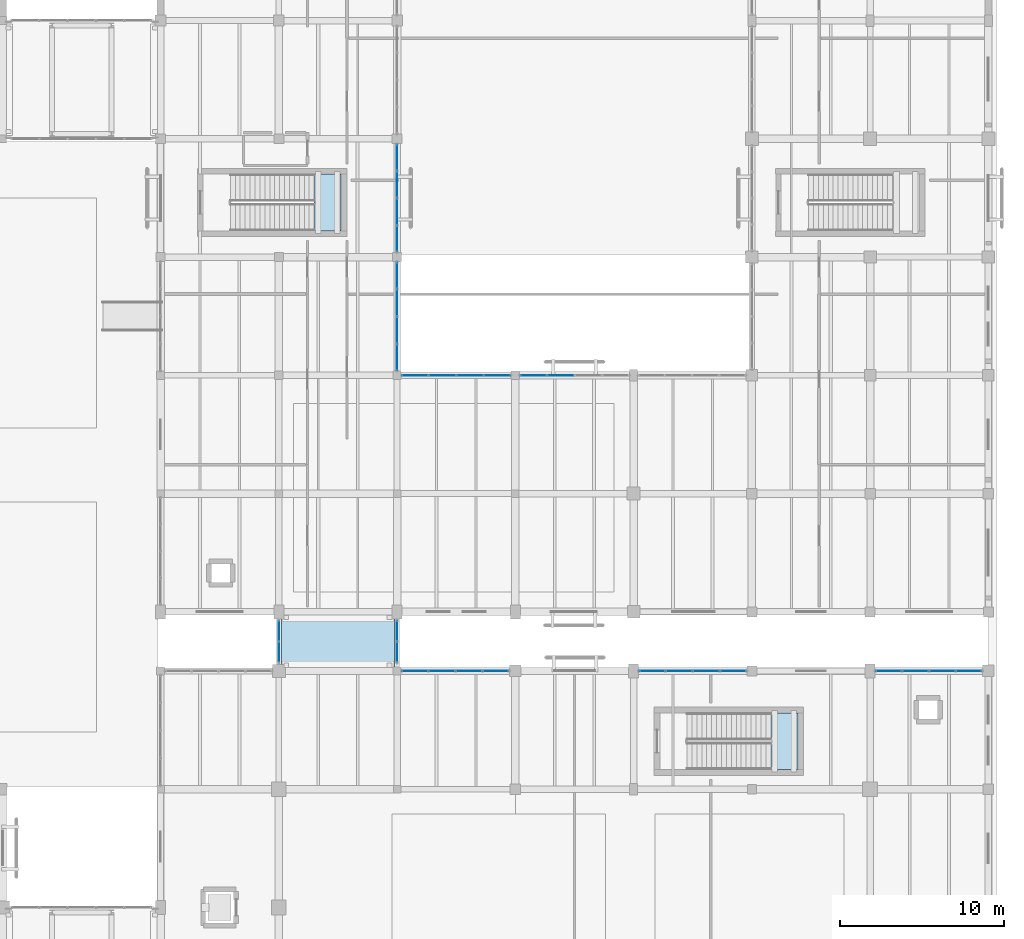
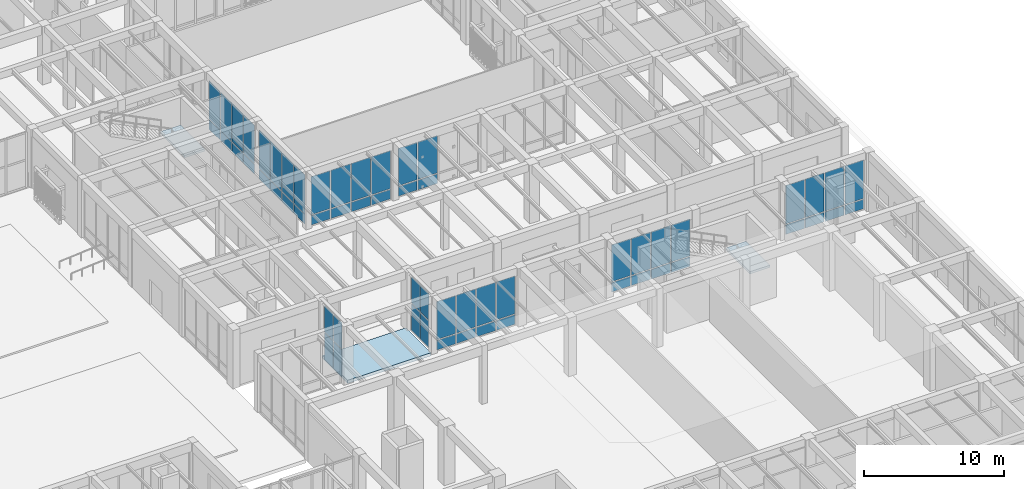
# One storey, part 117 of 169: 60 plates, 3 slabs, 11 elements without a shape of their own.
"""IFC4 building model written with IfcOpenShell, lengths in metres."""

from ifc_helpers import new_model, si_unit, direction, frame, origin, origin_2d, place, context, subcontext, project, spatial, polyline, rectangle, outline, extrude, material, layer, layer_set, type_object, element, aggregate, save


model = new_model("IFC4")

# Units and contexts
model_context = context("Model", 3, precision=1e-05, world=origin(), true_north=direction((0.0, 1.0)))
body_context = subcontext(model_context, "Body", "Model", "MODEL_VIEW")
ifc_project = project(units=[si_unit("LENGTHUNIT", "METRE"), si_unit("AREAUNIT", "SQUARE_METRE"), si_unit("VOLUMEUNIT", "CUBIC_METRE"), si_unit("PLANEANGLEUNIT", "RADIAN"), si_unit("MASSUNIT", "GRAM", prefix="KILO")], contexts=[model_context])

# Site, building, storey
site_placement = place(None, origin())
site = spatial("IfcSite", under=ifc_project, at=site_placement, CompositionType="ELEMENT")
building_placement = place(site_placement, origin())
building = spatial("IfcBuilding", under=site, at=building_placement, Name="Mazaris Harbour Polytechnic", CompositionType="ELEMENT")
storey_placement = place(building_placement, origin())
storey = spatial("IfcBuildingStorey", under=building, at=storey_placement, Name="L00", CompositionType="ELEMENT", Elevation=0.0)

# Slab
ifc_material_1 = material(Name="Glulam GL28h and Concrete C30/37", Category="concrete")
ifc_layer_1 = layer(ifc_material_1, 0.264892578125, Name="Glulam GL28h and Concrete C30/37")
ifc_layer_set_1 = layer_set([ifc_layer_1], Name="Glulam GL28h and Concrete C30/37")
slab_type_1 = type_object("IfcSlabType", Name="CLT Composite Floor 265", PredefinedType="FLOOR", material=ifc_layer_set_1)
slab_1_placement = place(storey_placement, frame((0.0, 0.0, -0.264892578125)))
element("IfcSlab", 1, at=slab_1_placement, inside=storey, type_object=slab_type_1, Name="PB-NE L00 Bridge Deck", PredefinedType="FLOOR", context=body_context, shape_type="SweptSolid", body=[
    extrude(outline(polyline([(136.64990234375, 43.199951171875), (136.64990234375, 46.800048828125), (129.75, 46.800048828125), (129.75, 43.199951171875), (136.64990234375, 43.199951171875)])), origin(), (0.0, 0.0, 1.0), 0.264892578125),
])

# Curtain wall, plates
ifc_material_2 = material(Name="Anodised Bronze Aluminium and Low-E Glass", Category="aluminium")
ifc_layer_2 = layer(ifc_material_2, 0.159912109375, Name="Anodised Bronze Aluminium and Low-E Glass")
ifc_layer_set_2 = layer_set([ifc_layer_2], Name="Anodised Bronze Aluminium and Low-E Glass")
curtain_wall_type_1 = type_object("IfcCurtainWallType", Name="Cloister Court Curtain Wall", PredefinedType="NOTDEFINED", material=ifc_layer_set_2)
curtain_wall_1_placement = place(storey_placement, origin())
curtain_wall_1 = element("IfcCurtainWall", 2, at=curtain_wall_1_placement, inside=storey, type_object=curtain_wall_type_1, Name="V2 L00 Curtain Wall 38", PredefinedType="NOTDEFINED")
ifc_material_3 = material(Name="Low-E Double Glazing", Category="glass")
ifc_layer_3 = layer(ifc_material_3, 0.028076171875, Name="Low-E Double Glazing")
ifc_layer_set_3 = layer_set([ifc_layer_3], Name="Low-E Double Glazing")
plate_type_1 = type_object("IfcPlateType", Name="Low-E Vision Glass Panel 28", PredefinedType="CURTAIN_PANEL", material=ifc_layer_set_3)
plate_1_placement = place(storey_placement, frame((137.888916015625, 43.199951171875, 0.080078125), z_axis=(0.0, 0.0, 1.0), x_axis=(1.0, 0.0, 0.0)))
plate_1 = element("IfcPlate", 3, at=plate_1_placement, type_object=plate_type_1, Name="CW-02 panel 1.1", PredefinedType="CURTAIN_PANEL", context=body_context, shape_type="SweptSolid", body=[
    extrude(rectangle(XDim=1.533935546875, YDim=0.028076171875, at=origin_2d()), origin(), (0.0, 0.0, 1.0), 0.830078125),
])
plate_2_placement = place(storey_placement, frame((137.888916015625, 43.199951171875, 0.98974609375), z_axis=(0.0, 0.0, 1.0), x_axis=(1.0, 0.0, 0.0)))
plate_2 = element("IfcPlate", 4, at=plate_2_placement, type_object=plate_type_1, Name="CW-02 panel 1.2", PredefinedType="CURTAIN_PANEL", context=body_context, shape_type="SweptSolid", body=[
    extrude(rectangle(XDim=1.533935546875, YDim=0.028076171875, at=origin_2d()), origin(), (0.0, 0.0, 1.0), 3.320068359375),
])
plate_3_placement = place(storey_placement, frame((139.52294921875, 43.199951171875, 0.080078125), z_axis=(0.0, 0.0, 1.0), x_axis=(1.0, 0.0, 0.0)))
plate_3 = element("IfcPlate", 5, at=plate_3_placement, type_object=plate_type_1, Name="CW-02 panel 2.1", PredefinedType="CURTAIN_PANEL", context=body_context, shape_type="SweptSolid", body=[
    extrude(rectangle(XDim=1.573974609375, YDim=0.028076171875, at=origin_2d()), origin(), (0.0, 0.0, 1.0), 0.830078125),
])
plate_4_placement = place(storey_placement, frame((139.52294921875, 43.199951171875, 0.98974609375), z_axis=(0.0, 0.0, 1.0), x_axis=(1.0, 0.0, 0.0)))
plate_4 = element("IfcPlate", 6, at=plate_4_placement, type_object=plate_type_1, Name="CW-02 panel 2.2", PredefinedType="CURTAIN_PANEL", context=body_context, shape_type="SweptSolid", body=[
    extrude(rectangle(XDim=1.573974609375, YDim=0.028076171875, at=origin_2d()), origin(), (0.0, 0.0, 1.0), 3.320068359375),
])
plate_5_placement = place(storey_placement, frame((141.177001953125, 43.199951171875, 0.080078125), z_axis=(0.0, 0.0, 1.0), x_axis=(1.0, 0.0, 0.0)))
plate_5 = element("IfcPlate", 7, at=plate_5_placement, type_object=plate_type_1, Name="CW-02 panel 3.1", PredefinedType="CURTAIN_PANEL", context=body_context, shape_type="SweptSolid", body=[
    extrude(rectangle(XDim=1.573974609375, YDim=0.028076171875, at=origin_2d()), origin(), (0.0, 0.0, 1.0), 0.830078125),
])
plate_6_placement = place(storey_placement, frame((141.177001953125, 43.199951171875, 0.98974609375), z_axis=(0.0, 0.0, 1.0), x_axis=(1.0, 0.0, 0.0)))
plate_6 = element("IfcPlate", 8, at=plate_6_placement, type_object=plate_type_1, Name="CW-02 panel 3.2", PredefinedType="CURTAIN_PANEL", context=body_context, shape_type="SweptSolid", body=[
    extrude(rectangle(XDim=1.573974609375, YDim=0.028076171875, at=origin_2d()), origin(), (0.0, 0.0, 1.0), 3.320068359375),
])
plate_7_placement = place(storey_placement, frame((142.81103515625, 43.199951171875, 0.080078125), z_axis=(0.0, 0.0, 1.0), x_axis=(1.0, 0.0, 0.0)))
plate_7 = element("IfcPlate", 9, at=plate_7_placement, type_object=plate_type_1, Name="CW-02 panel 4.1", PredefinedType="CURTAIN_PANEL", context=body_context, shape_type="SweptSolid", body=[
    extrude(rectangle(XDim=1.533935546875, YDim=0.028076171875, at=origin_2d()), origin(), (0.0, 0.0, 1.0), 0.830078125),
])
plate_8_placement = place(storey_placement, frame((142.81103515625, 43.199951171875, 0.98974609375), z_axis=(0.0, 0.0, 1.0), x_axis=(1.0, 0.0, 0.0)))
plate_8 = element("IfcPlate", 10, at=plate_8_placement, type_object=plate_type_1, Name="CW-02 panel 4.2", PredefinedType="CURTAIN_PANEL", context=body_context, shape_type="SweptSolid", body=[
    extrude(rectangle(XDim=1.533935546875, YDim=0.028076171875, at=origin_2d()), origin(), (0.0, 0.0, 1.0), 3.320068359375),
])
aggregate(curtain_wall_1, [plate_1, plate_2, plate_3, plate_4, plate_5, plate_6, plate_7, plate_8])

curtain_wall_2_placement = place(storey_placement, origin())
curtain_wall_2 = element("IfcCurtainWall", 11, at=curtain_wall_2_placement, inside=storey, type_object=curtain_wall_type_1, Name="V2 L00 Curtain Wall 39", PredefinedType="NOTDEFINED")
plate_9_placement = place(storey_placement, frame((152.339111328125, 43.199951171875, 0.080078125), z_axis=(0.0, 0.0, 1.0), x_axis=(1.0, 0.0, 0.0)))
plate_9 = element("IfcPlate", 12, at=plate_9_placement, type_object=plate_type_1, Name="CW-02 panel 1.1", PredefinedType="CURTAIN_PANEL", context=body_context, shape_type="SweptSolid", body=[
    extrude(rectangle(XDim=1.533935546875, YDim=0.028076171875, at=origin_2d()), origin(), (0.0, 0.0, 1.0), 0.830078125),
])
plate_10_placement = place(storey_placement, frame((152.339111328125, 43.199951171875, 0.990234375), z_axis=(0.0, 0.0, 1.0), x_axis=(1.0, 0.0, 0.0)))
plate_10 = element("IfcPlate", 13, at=plate_10_placement, type_object=plate_type_1, Name="CW-02 panel 1.2", PredefinedType="CURTAIN_PANEL", context=body_context, shape_type="SweptSolid", body=[
    extrude(rectangle(XDim=1.533935546875, YDim=0.028076171875, at=origin_2d()), origin(), (0.0, 0.0, 1.0), 3.219970703125),
])
plate_11_placement = place(storey_placement, frame((153.972900390625, 43.199951171875, 0.080078125), z_axis=(0.0, 0.0, 1.0), x_axis=(1.0, 0.0, 0.0)))
plate_11 = element("IfcPlate", 14, at=plate_11_placement, type_object=plate_type_1, Name="CW-02 panel 2.1", PredefinedType="CURTAIN_PANEL", context=body_context, shape_type="SweptSolid", body=[
    extrude(rectangle(XDim=1.573974609375, YDim=0.028076171875, at=origin_2d()), origin(), (0.0, 0.0, 1.0), 0.830078125),
])
plate_12_placement = place(storey_placement, frame((153.972900390625, 43.199951171875, 0.990234375), z_axis=(0.0, 0.0, 1.0), x_axis=(1.0, 0.0, 0.0)))
plate_12 = element("IfcPlate", 15, at=plate_12_placement, type_object=plate_type_1, Name="CW-02 panel 2.2", PredefinedType="CURTAIN_PANEL", context=body_context, shape_type="SweptSolid", body=[
    extrude(rectangle(XDim=1.573974609375, YDim=0.028076171875, at=origin_2d()), origin(), (0.0, 0.0, 1.0), 3.219970703125),
])
plate_13_placement = place(storey_placement, frame((155.626953125, 43.199951171875, 0.080078125), z_axis=(0.0, 0.0, 1.0), x_axis=(1.0, 0.0, 0.0)))
plate_13 = element("IfcPlate", 16, at=plate_13_placement, type_object=plate_type_1, Name="CW-02 panel 3.1", PredefinedType="CURTAIN_PANEL", context=body_context, shape_type="SweptSolid", body=[
    extrude(rectangle(XDim=1.573974609375, YDim=0.028076171875, at=origin_2d()), origin(), (0.0, 0.0, 1.0), 0.830078125),
])
plate_14_placement = place(storey_placement, frame((155.626953125, 43.199951171875, 0.990234375), z_axis=(0.0, 0.0, 1.0), x_axis=(1.0, 0.0, 0.0)))
plate_14 = element("IfcPlate", 17, at=plate_14_placement, type_object=plate_type_1, Name="CW-02 panel 3.2", PredefinedType="CURTAIN_PANEL", context=body_context, shape_type="SweptSolid", body=[
    extrude(rectangle(XDim=1.573974609375, YDim=0.028076171875, at=origin_2d()), origin(), (0.0, 0.0, 1.0), 3.219970703125),
])
plate_15_placement = place(storey_placement, frame((157.260986328125, 43.199951171875, 0.080078125), z_axis=(0.0, 0.0, 1.0), x_axis=(1.0, 0.0, 0.0)))
plate_15 = element("IfcPlate", 18, at=plate_15_placement, type_object=plate_type_1, Name="CW-02 panel 4.1", PredefinedType="CURTAIN_PANEL", context=body_context, shape_type="SweptSolid", body=[
    extrude(rectangle(XDim=1.533935546875, YDim=0.028076171875, at=origin_2d()), origin(), (0.0, 0.0, 1.0), 0.830078125),
])
plate_16_placement = place(storey_placement, frame((157.260986328125, 43.199951171875, 0.990234375), z_axis=(0.0, 0.0, 1.0), x_axis=(1.0, 0.0, 0.0)))
plate_16 = element("IfcPlate", 19, at=plate_16_placement, type_object=plate_type_1, Name="CW-02 panel 4.2", PredefinedType="CURTAIN_PANEL", context=body_context, shape_type="SweptSolid", body=[
    extrude(rectangle(XDim=1.533935546875, YDim=0.028076171875, at=origin_2d()), origin(), (0.0, 0.0, 1.0), 3.219970703125),
])
aggregate(curtain_wall_2, [plate_9, plate_10, plate_11, plate_12, plate_13, plate_14, plate_15, plate_16])

curtain_wall_3_placement = place(storey_placement, origin())
curtain_wall_3 = element("IfcCurtainWall", 20, at=curtain_wall_3_placement, inside=storey, type_object=curtain_wall_type_1, Name="V2 L00 Curtain Wall 40", PredefinedType="NOTDEFINED")
plate_17_placement = place(storey_placement, frame((166.732666015625, 43.199951171875, 0.080078125), z_axis=(0.0, 0.0, 1.0), x_axis=(1.0, 0.0, 0.0)))
plate_17 = element("IfcPlate", 21, at=plate_17_placement, type_object=plate_type_1, Name="CW-02 panel 1.1", PredefinedType="CURTAIN_PANEL", context=body_context, shape_type="SweptSolid", body=[
    extrude(rectangle(XDim=1.521484375, YDim=0.028076171875, at=origin_2d()), origin(), (0.0, 0.0, 1.0), 0.830078125),
])
plate_18_placement = place(storey_placement, frame((166.732666015625, 43.199951171875, 0.989990234375), z_axis=(0.0, 0.0, 1.0), x_axis=(1.0, 0.0, 0.0)))
plate_18 = element("IfcPlate", 22, at=plate_18_placement, type_object=plate_type_1, Name="CW-02 panel 1.2", PredefinedType="CURTAIN_PANEL", context=body_context, shape_type="SweptSolid", body=[
    extrude(rectangle(XDim=1.521484375, YDim=0.028076171875, at=origin_2d()), origin(), (0.0, 0.0, 1.0), 3.3701171875),
])
plate_19_placement = place(storey_placement, frame((168.354248046875, 43.199951171875, 0.080078125), z_axis=(0.0, 0.0, 1.0), x_axis=(1.0, 0.0, 0.0)))
plate_19 = element("IfcPlate", 23, at=plate_19_placement, type_object=plate_type_1, Name="CW-02 panel 2.1", PredefinedType="CURTAIN_PANEL", context=body_context, shape_type="SweptSolid", body=[
    extrude(rectangle(XDim=1.5615234375, YDim=0.028076171875, at=origin_2d()), origin(), (0.0, 0.0, 1.0), 0.830078125),
])
plate_20_placement = place(storey_placement, frame((168.354248046875, 43.199951171875, 0.989990234375), z_axis=(0.0, 0.0, 1.0), x_axis=(1.0, 0.0, 0.0)))
plate_20 = element("IfcPlate", 24, at=plate_20_placement, type_object=plate_type_1, Name="CW-02 panel 2.2", PredefinedType="CURTAIN_PANEL", context=body_context, shape_type="SweptSolid", body=[
    extrude(rectangle(XDim=1.5615234375, YDim=0.028076171875, at=origin_2d()), origin(), (0.0, 0.0, 1.0), 3.3701171875),
])
plate_21_placement = place(storey_placement, frame((169.995849609375, 43.199951171875, 0.080078125), z_axis=(0.0, 0.0, 1.0), x_axis=(1.0, 0.0, 0.0)))
plate_21 = element("IfcPlate", 25, at=plate_21_placement, type_object=plate_type_1, Name="CW-02 panel 3.1", PredefinedType="CURTAIN_PANEL", context=body_context, shape_type="SweptSolid", body=[
    extrude(rectangle(XDim=1.5615234375, YDim=0.028076171875, at=origin_2d()), origin(), (0.0, 0.0, 1.0), 0.830078125),
])
plate_22_placement = place(storey_placement, frame((169.995849609375, 43.199951171875, 0.989990234375), z_axis=(0.0, 0.0, 1.0), x_axis=(1.0, 0.0, 0.0)))
plate_22 = element("IfcPlate", 26, at=plate_22_placement, type_object=plate_type_1, Name="CW-02 panel 3.2", PredefinedType="CURTAIN_PANEL", context=body_context, shape_type="SweptSolid", body=[
    extrude(rectangle(XDim=1.5615234375, YDim=0.028076171875, at=origin_2d()), origin(), (0.0, 0.0, 1.0), 3.3701171875),
])
plate_23_placement = place(storey_placement, frame((171.6171875, 43.199951171875, 0.080078125), z_axis=(0.0, 0.0, 1.0), x_axis=(1.0, 0.0, 0.0)))
plate_23 = element("IfcPlate", 27, at=plate_23_placement, type_object=plate_type_1, Name="CW-02 panel 4.1", PredefinedType="CURTAIN_PANEL", context=body_context, shape_type="SweptSolid", body=[
    extrude(rectangle(XDim=1.521484375, YDim=0.028076171875, at=origin_2d()), origin(), (0.0, 0.0, 1.0), 0.830078125),
])
plate_24_placement = place(storey_placement, frame((171.6171875, 43.199951171875, 0.989990234375), z_axis=(0.0, 0.0, 1.0), x_axis=(1.0, 0.0, 0.0)))
plate_24 = element("IfcPlate", 28, at=plate_24_placement, type_object=plate_type_1, Name="CW-02 panel 4.2", PredefinedType="CURTAIN_PANEL", context=body_context, shape_type="SweptSolid", body=[
    extrude(rectangle(XDim=1.521484375, YDim=0.028076171875, at=origin_2d()), origin(), (0.0, 0.0, 1.0), 3.3701171875),
])
aggregate(curtain_wall_3, [plate_17, plate_18, plate_19, plate_20, plate_21, plate_22, plate_23, plate_24])

ifc_material_4 = material(Name="Anodised Bronze Aluminium and Low-E Glass", Category="aluminium")
ifc_layer_4 = layer(ifc_material_4, 0.139892578125, Name="Anodised Bronze Aluminium and Low-E Glass")
ifc_layer_set_4 = layer_set([ifc_layer_4], Name="Anodised Bronze Aluminium and Low-E Glass")
curtain_wall_type_2 = type_object("IfcCurtainWallType", Name="Seismic Link Bridge Glazing", PredefinedType="NOTDEFINED", material=ifc_layer_set_4)
curtain_wall_4_placement = place(storey_placement, origin())
curtain_wall_4 = element("IfcCurtainWall", 29, at=curtain_wall_4_placement, inside=storey, type_object=curtain_wall_type_2, Name="PB-NE L00 Bridge Glazing", PredefinedType="NOTDEFINED")
plate_25_placement = place(storey_placement, frame((129.60009765625, 45.639892578125, 0.080078125), z_axis=(0.0, 0.0, 1.0), x_axis=(0.0, -1.0, 0.0)))
plate_25 = element("IfcPlate", 30, at=plate_25_placement, type_object=plate_type_1, Name="CW-05 panel 1.1", PredefinedType="CURTAIN_PANEL", context=body_context, shape_type="SweptSolid", body=[
    extrude(rectangle(XDim=1.199951171875, YDim=0.028076171875, at=origin_2d()), origin(), (0.0, 0.0, 1.0), 2.297607421875),
])
plate_26_placement = place(storey_placement, frame((129.60009765625, 45.639892578125, 2.45751953125), z_axis=(0.0, 0.0, 1.0), x_axis=(0.0, -1.0, 0.0)))
plate_26 = element("IfcPlate", 31, at=plate_26_placement, type_object=plate_type_1, Name="CW-05 panel 1.2", PredefinedType="CURTAIN_PANEL", context=body_context, shape_type="SweptSolid", body=[
    extrude(rectangle(XDim=1.199951171875, YDim=0.028076171875, at=origin_2d()), origin(), (0.0, 0.0, 1.0), 2.297607421875),
])
plate_27_placement = place(storey_placement, frame((129.60009765625, 44.360107421875, 0.080078125), z_axis=(0.0, 0.0, 1.0), x_axis=(0.0, -1.0, 0.0)))
plate_27 = element("IfcPlate", 32, at=plate_27_placement, type_object=plate_type_1, Name="CW-05 panel 2.1", PredefinedType="CURTAIN_PANEL", context=body_context, shape_type="SweptSolid", body=[
    extrude(rectangle(XDim=1.199951171875, YDim=0.028076171875, at=origin_2d()), origin(), (0.0, 0.0, 1.0), 2.297607421875),
])
plate_28_placement = place(storey_placement, frame((129.60009765625, 44.360107421875, 2.45751953125), z_axis=(0.0, 0.0, 1.0), x_axis=(0.0, -1.0, 0.0)))
plate_28 = element("IfcPlate", 33, at=plate_28_placement, type_object=plate_type_1, Name="CW-05 panel 2.2", PredefinedType="CURTAIN_PANEL", context=body_context, shape_type="SweptSolid", body=[
    extrude(rectangle(XDim=1.199951171875, YDim=0.028076171875, at=origin_2d()), origin(), (0.0, 0.0, 1.0), 2.297607421875),
])
aggregate(curtain_wall_4, [plate_25, plate_26, plate_27, plate_28])

curtain_wall_5_placement = place(storey_placement, origin())
curtain_wall_5 = element("IfcCurtainWall", 34, at=curtain_wall_5_placement, inside=storey, type_object=curtain_wall_type_2, Name="PB-NE L00 Bridge Glazing", PredefinedType="NOTDEFINED")
plate_29_placement = place(storey_placement, frame((136.800048828125, 44.360107421875, 0.080078125), z_axis=(0.0, 0.0, 1.0), x_axis=(0.0, 1.0, 0.0)))
plate_29 = element("IfcPlate", 35, at=plate_29_placement, type_object=plate_type_1, Name="CW-05 panel 1.1", PredefinedType="CURTAIN_PANEL", context=body_context, shape_type="SweptSolid", body=[
    extrude(rectangle(XDim=1.199951171875, YDim=0.028076171875, at=origin_2d()), origin(), (0.0, 0.0, 1.0), 2.297607421875),
])
plate_30_placement = place(storey_placement, frame((136.800048828125, 44.360107421875, 2.45751953125), z_axis=(0.0, 0.0, 1.0), x_axis=(0.0, 1.0, 0.0)))
plate_30 = element("IfcPlate", 36, at=plate_30_placement, type_object=plate_type_1, Name="CW-05 panel 1.2", PredefinedType="CURTAIN_PANEL", context=body_context, shape_type="SweptSolid", body=[
    extrude(rectangle(XDim=1.199951171875, YDim=0.028076171875, at=origin_2d()), origin(), (0.0, 0.0, 1.0), 2.297607421875),
])
plate_31_placement = place(storey_placement, frame((136.800048828125, 45.639892578125, 0.080078125), z_axis=(0.0, 0.0, 1.0), x_axis=(0.0, 1.0, 0.0)))
plate_31 = element("IfcPlate", 37, at=plate_31_placement, type_object=plate_type_1, Name="CW-05 panel 2.1", PredefinedType="CURTAIN_PANEL", context=body_context, shape_type="SweptSolid", body=[
    extrude(rectangle(XDim=1.199951171875, YDim=0.028076171875, at=origin_2d()), origin(), (0.0, 0.0, 1.0), 2.297607421875),
])
plate_32_placement = place(storey_placement, frame((136.800048828125, 45.639892578125, 2.45751953125), z_axis=(0.0, 0.0, 1.0), x_axis=(0.0, 1.0, 0.0)))
plate_32 = element("IfcPlate", 38, at=plate_32_placement, type_object=plate_type_1, Name="CW-05 panel 2.2", PredefinedType="CURTAIN_PANEL", context=body_context, shape_type="SweptSolid", body=[
    extrude(rectangle(XDim=1.199951171875, YDim=0.028076171875, at=origin_2d()), origin(), (0.0, 0.0, 1.0), 2.297607421875),
])
aggregate(curtain_wall_5, [plate_29, plate_30, plate_31, plate_32])

# Stair, slab
ifc_material_5 = material(Name="Concrete C40/50", Category="concrete")
stair_type = type_object("IfcStairType", Name="Core Exit Stair H5400", PredefinedType="HALF_TURN_STAIR", material=ifc_material_5)
stair_1_placement = place(storey_placement, origin())
stair_1 = element("IfcStair", 39, at=stair_1_placement, inside=storey, type_object=stair_type, Name="L00 ST04", PredefinedType="HALF_TURN_STAIR")
ifc_material_6 = material(Name="Concrete C40/50", Category="concrete")
ifc_layer_5 = layer(ifc_material_6, 0.199951171875, Name="Concrete C40/50")
ifc_layer_set_5 = layer_set([ifc_layer_5], Name="Concrete C40/50")
slab_type_2 = type_object("IfcSlabType", Name="RC Stair Landing 200", PredefinedType="LANDING", material=ifc_layer_set_5)
slab_2_placement = place(storey_placement, frame((0.0, 0.0, 2.5)))
slab_2 = element("IfcSlab", 40, at=slab_2_placement, type_object=slab_type_2, Name="ST04 landing 1", PredefinedType="LANDING", context=body_context, shape_type="SweptSolid", body=[
    extrude(outline(polyline([(159.550048828125, 37.199951171875), (161.199951171875, 37.199951171875), (161.199951171875, 40.64990234375), (159.550048828125, 40.64990234375), (159.550048828125, 37.199951171875)])), origin(), (0.0, 0.0, 1.0), 0.199951171875),
])
aggregate(stair_1, [slab_2])

stair_2_placement = place(storey_placement, origin())
stair_2 = element("IfcStair", 41, at=stair_2_placement, inside=storey, type_object=stair_type, Name="L00 ST09", PredefinedType="HALF_TURN_STAIR")
slab_3_placement = place(storey_placement, frame((0.0, 0.0, 2.5)))
slab_3 = element("IfcSlab", 42, at=slab_3_placement, type_object=slab_type_2, Name="ST09 landing 1", PredefinedType="LANDING", context=body_context, shape_type="SweptSolid", body=[
    extrude(outline(polyline([(131.75, 70.0), (133.39990234375, 70.0), (133.39990234375, 73.449951171875), (131.75, 73.449951171875), (131.75, 70.0)])), origin(), (0.0, 0.0, 1.0), 0.199951171875),
])
aggregate(stair_2, [slab_3])

# Curtain wall, plates
ifc_material_7 = material(Name="Anodised Bronze Aluminium and Low-E Glass", Category="aluminium")
ifc_layer_6 = layer(ifc_material_7, 0.169921875, Name="Anodised Bronze Aluminium and Low-E Glass")
ifc_layer_set_6 = layer_set([ifc_layer_6], Name="Anodised Bronze Aluminium and Low-E Glass")
curtain_wall_type_3 = type_object("IfcCurtainWallType", Name="Studio North-Light Curtain Wall", PredefinedType="NOTDEFINED", material=ifc_layer_set_6)
curtain_wall_6_placement = place(storey_placement, origin())
curtain_wall_6 = element("IfcCurtainWall", 43, at=curtain_wall_6_placement, inside=storey, type_object=curtain_wall_type_3, Name="V5 L00 Curtain Wall 191", PredefinedType="NOTDEFINED")
ifc_material_8 = material(Name="Solar-Control Low-E Glazing", Category="glass")
ifc_layer_7 = layer(ifc_material_8, 0.031982421875, Name="Solar-Control Low-E Glazing")
ifc_layer_set_7 = layer_set([ifc_layer_7], Name="Solar-Control Low-E Glazing")
plate_type_2 = type_object("IfcPlateType", Name="Solar Control Studio Glass Panel 32", PredefinedType="CURTAIN_PANEL", material=ifc_layer_set_7)
plate_33_placement = place(storey_placement, frame((137.901611328125, 61.199951171875, 0.080078125), z_axis=(0.0, 0.0, 1.0), x_axis=(1.0, 0.0, 0.0)))
plate_33 = element("IfcPlate", 44, at=plate_33_placement, type_object=plate_type_2, Name="CW-03 panel 1.1", PredefinedType="CURTAIN_PANEL", context=body_context, shape_type="SweptSolid", body=[
    extrude(rectangle(XDim=1.55908203125, YDim=0.031982421875, at=origin_2d()), origin(), (0.0, 0.0, 1.0), 0.830078125),
])
plate_34_placement = place(storey_placement, frame((137.901611328125, 61.199951171875, 0.98974609375), z_axis=(0.0, 0.0, 1.0), x_axis=(1.0, 0.0, 0.0)))
plate_34 = element("IfcPlate", 45, at=plate_34_placement, type_object=plate_type_2, Name="CW-03 panel 1.2", PredefinedType="CURTAIN_PANEL", context=body_context, shape_type="SweptSolid", body=[
    extrude(rectangle(XDim=1.55908203125, YDim=0.031982421875, at=origin_2d()), origin(), (0.0, 0.0, 1.0), 3.320068359375),
])
plate_35_placement = place(storey_placement, frame((139.560546875, 61.199951171875, 0.080078125), z_axis=(0.0, 0.0, 1.0), x_axis=(1.0, 0.0, 0.0)))
plate_35 = element("IfcPlate", 46, at=plate_35_placement, type_object=plate_type_2, Name="CW-03 panel 2.1", PredefinedType="CURTAIN_PANEL", context=body_context, shape_type="SweptSolid", body=[
    extrude(rectangle(XDim=1.59912109375, YDim=0.031982421875, at=origin_2d()), origin(), (0.0, 0.0, 1.0), 0.830078125),
])
plate_36_placement = place(storey_placement, frame((139.560546875, 61.199951171875, 0.98974609375), z_axis=(0.0, 0.0, 1.0), x_axis=(1.0, 0.0, 0.0)))
plate_36 = element("IfcPlate", 47, at=plate_36_placement, type_object=plate_type_2, Name="CW-03 panel 2.2", PredefinedType="CURTAIN_PANEL", context=body_context, shape_type="SweptSolid", body=[
    extrude(rectangle(XDim=1.59912109375, YDim=0.031982421875, at=origin_2d()), origin(), (0.0, 0.0, 1.0), 3.320068359375),
])
plate_37_placement = place(storey_placement, frame((141.239501953125, 61.199951171875, 0.080078125), z_axis=(0.0, 0.0, 1.0), x_axis=(1.0, 0.0, 0.0)))
plate_37 = element("IfcPlate", 48, at=plate_37_placement, type_object=plate_type_2, Name="CW-03 panel 3.1", PredefinedType="CURTAIN_PANEL", context=body_context, shape_type="SweptSolid", body=[
    extrude(rectangle(XDim=1.59912109375, YDim=0.031982421875, at=origin_2d()), origin(), (0.0, 0.0, 1.0), 0.830078125),
])
plate_38_placement = place(storey_placement, frame((141.239501953125, 61.199951171875, 0.98974609375), z_axis=(0.0, 0.0, 1.0), x_axis=(1.0, 0.0, 0.0)))
plate_38 = element("IfcPlate", 49, at=plate_38_placement, type_object=plate_type_2, Name="CW-03 panel 3.2", PredefinedType="CURTAIN_PANEL", context=body_context, shape_type="SweptSolid", body=[
    extrude(rectangle(XDim=1.59912109375, YDim=0.031982421875, at=origin_2d()), origin(), (0.0, 0.0, 1.0), 3.320068359375),
])
plate_39_placement = place(storey_placement, frame((142.8984375, 61.199951171875, 0.080078125), z_axis=(0.0, 0.0, 1.0), x_axis=(1.0, 0.0, 0.0)))
plate_39 = element("IfcPlate", 50, at=plate_39_placement, type_object=plate_type_2, Name="CW-03 panel 4.1", PredefinedType="CURTAIN_PANEL", context=body_context, shape_type="SweptSolid", body=[
    extrude(rectangle(XDim=1.55908203125, YDim=0.031982421875, at=origin_2d()), origin(), (0.0, 0.0, 1.0), 0.830078125),
])
plate_40_placement = place(storey_placement, frame((142.8984375, 61.199951171875, 0.98974609375), z_axis=(0.0, 0.0, 1.0), x_axis=(1.0, 0.0, 0.0)))
plate_40 = element("IfcPlate", 51, at=plate_40_placement, type_object=plate_type_2, Name="CW-03 panel 4.2", PredefinedType="CURTAIN_PANEL", context=body_context, shape_type="SweptSolid", body=[
    extrude(rectangle(XDim=1.55908203125, YDim=0.031982421875, at=origin_2d()), origin(), (0.0, 0.0, 1.0), 3.320068359375),
])
aggregate(curtain_wall_6, [plate_33, plate_34, plate_35, plate_36, plate_37, plate_38, plate_39, plate_40])

curtain_wall_7_placement = place(storey_placement, origin())
curtain_wall_7 = element("IfcCurtainWall", 52, at=curtain_wall_7_placement, inside=storey, type_object=curtain_wall_type_3, Name="V5 L00 Curtain Wall 192", PredefinedType="NOTDEFINED")
plate_41_placement = place(storey_placement, frame((145.1015625, 61.199951171875, 0.080078125), z_axis=(0.0, 0.0, 1.0), x_axis=(1.0, 0.0, 0.0)))
plate_41 = element("IfcPlate", 53, at=plate_41_placement, type_object=plate_type_2, Name="CW-03 panel 1.1", PredefinedType="CURTAIN_PANEL", context=body_context, shape_type="SweptSolid", body=[
    extrude(rectangle(XDim=1.55908203125, YDim=0.031982421875, at=origin_2d()), origin(), (0.0, 0.0, 1.0), 0.830078125),
])
plate_42_placement = place(storey_placement, frame((145.1015625, 61.199951171875, 0.989990234375), z_axis=(0.0, 0.0, 1.0), x_axis=(1.0, 0.0, 0.0)))
plate_42 = element("IfcPlate", 54, at=plate_42_placement, type_object=plate_type_2, Name="CW-03 panel 1.2", PredefinedType="CURTAIN_PANEL", context=body_context, shape_type="SweptSolid", body=[
    extrude(rectangle(XDim=1.55908203125, YDim=0.031982421875, at=origin_2d()), origin(), (0.0, 0.0, 1.0), 3.27001953125),
])
plate_43_placement = place(storey_placement, frame((146.760498046875, 61.199951171875, 0.080078125), z_axis=(0.0, 0.0, 1.0), x_axis=(1.0, 0.0, 0.0)))
plate_43 = element("IfcPlate", 55, at=plate_43_placement, type_object=plate_type_2, Name="CW-03 panel 2.1", PredefinedType="CURTAIN_PANEL", context=body_context, shape_type="SweptSolid", body=[
    extrude(rectangle(XDim=1.59912109375, YDim=0.031982421875, at=origin_2d()), origin(), (0.0, 0.0, 1.0), 0.830078125),
])
plate_44_placement = place(storey_placement, frame((146.760498046875, 61.199951171875, 0.989990234375), z_axis=(0.0, 0.0, 1.0), x_axis=(1.0, 0.0, 0.0)))
plate_44 = element("IfcPlate", 56, at=plate_44_placement, type_object=plate_type_2, Name="CW-03 panel 2.2", PredefinedType="CURTAIN_PANEL", context=body_context, shape_type="SweptSolid", body=[
    extrude(rectangle(XDim=1.59912109375, YDim=0.031982421875, at=origin_2d()), origin(), (0.0, 0.0, 1.0), 3.27001953125),
])
aggregate(curtain_wall_7, [plate_41, plate_42, plate_43, plate_44])

curtain_wall_8_placement = place(storey_placement, origin())
curtain_wall_8 = element("IfcCurtainWall", 57, at=curtain_wall_8_placement, inside=storey, type_object=curtain_wall_type_3, Name="V5 L00 Curtain Wall 197", PredefinedType="NOTDEFINED")
plate_45_placement = place(storey_placement, frame((136.800048828125, 62.29833984375, 0.080078125), z_axis=(0.0, 0.0, 1.0), x_axis=(0.0, 1.0, 0.0)))
plate_45 = element("IfcPlate", 58, at=plate_45_placement, type_object=plate_type_2, Name="CW-03 panel 1.1", PredefinedType="CURTAIN_PANEL", context=body_context, shape_type="SweptSolid", body=[
    extrude(rectangle(XDim=1.552734375, YDim=0.031982421875, at=origin_2d()), origin(), (0.0, 0.0, 1.0), 0.830078125),
])
plate_46_placement = place(storey_placement, frame((136.800048828125, 62.29833984375, 0.989990234375), z_axis=(0.0, 0.0, 1.0), x_axis=(0.0, 1.0, 0.0)))
plate_46 = element("IfcPlate", 59, at=plate_46_placement, type_object=plate_type_2, Name="CW-03 panel 1.2", PredefinedType="CURTAIN_PANEL", context=body_context, shape_type="SweptSolid", body=[
    extrude(rectangle(XDim=1.552734375, YDim=0.031982421875, at=origin_2d()), origin(), (0.0, 0.0, 1.0), 3.3701171875),
])
plate_47_placement = place(storey_placement, frame((136.800048828125, 63.951171875, 0.080078125), z_axis=(0.0, 0.0, 1.0), x_axis=(0.0, 1.0, 0.0)))
plate_47 = element("IfcPlate", 60, at=plate_47_placement, type_object=plate_type_2, Name="CW-03 panel 2.1", PredefinedType="CURTAIN_PANEL", context=body_context, shape_type="SweptSolid", body=[
    extrude(rectangle(XDim=1.5927734375, YDim=0.031982421875, at=origin_2d()), origin(), (0.0, 0.0, 1.0), 0.830078125),
])
plate_48_placement = place(storey_placement, frame((136.800048828125, 63.951171875, 0.989990234375), z_axis=(0.0, 0.0, 1.0), x_axis=(0.0, 1.0, 0.0)))
plate_48 = element("IfcPlate", 61, at=plate_48_placement, type_object=plate_type_2, Name="CW-03 panel 2.2", PredefinedType="CURTAIN_PANEL", context=body_context, shape_type="SweptSolid", body=[
    extrude(rectangle(XDim=1.5927734375, YDim=0.031982421875, at=origin_2d()), origin(), (0.0, 0.0, 1.0), 3.3701171875),
])
plate_49_placement = place(storey_placement, frame((136.800048828125, 65.623779296875, 0.080078125), z_axis=(0.0, 0.0, 1.0), x_axis=(0.0, 1.0, 0.0)))
plate_49 = element("IfcPlate", 62, at=plate_49_placement, type_object=plate_type_2, Name="CW-03 panel 3.1", PredefinedType="CURTAIN_PANEL", context=body_context, shape_type="SweptSolid", body=[
    extrude(rectangle(XDim=1.5927734375, YDim=0.031982421875, at=origin_2d()), origin(), (0.0, 0.0, 1.0), 0.830078125),
])
plate_50_placement = place(storey_placement, frame((136.800048828125, 65.623779296875, 0.989990234375), z_axis=(0.0, 0.0, 1.0), x_axis=(0.0, 1.0, 0.0)))
plate_50 = element("IfcPlate", 63, at=plate_50_placement, type_object=plate_type_2, Name="CW-03 panel 3.2", PredefinedType="CURTAIN_PANEL", context=body_context, shape_type="SweptSolid", body=[
    extrude(rectangle(XDim=1.5927734375, YDim=0.031982421875, at=origin_2d()), origin(), (0.0, 0.0, 1.0), 3.3701171875),
])
plate_51_placement = place(storey_placement, frame((136.800048828125, 67.276611328125, 0.080078125), z_axis=(0.0, 0.0, 1.0), x_axis=(0.0, 1.0, 0.0)))
plate_51 = element("IfcPlate", 64, at=plate_51_placement, type_object=plate_type_2, Name="CW-03 panel 4.1", PredefinedType="CURTAIN_PANEL", context=body_context, shape_type="SweptSolid", body=[
    extrude(rectangle(XDim=1.552734375, YDim=0.031982421875, at=origin_2d()), origin(), (0.0, 0.0, 1.0), 0.830078125),
])
plate_52_placement = place(storey_placement, frame((136.800048828125, 67.276611328125, 0.989990234375), z_axis=(0.0, 0.0, 1.0), x_axis=(0.0, 1.0, 0.0)))
plate_52 = element("IfcPlate", 65, at=plate_52_placement, type_object=plate_type_2, Name="CW-03 panel 4.2", PredefinedType="CURTAIN_PANEL", context=body_context, shape_type="SweptSolid", body=[
    extrude(rectangle(XDim=1.552734375, YDim=0.031982421875, at=origin_2d()), origin(), (0.0, 0.0, 1.0), 3.3701171875),
])
aggregate(curtain_wall_8, [plate_45, plate_46, plate_47, plate_48, plate_49, plate_50, plate_51, plate_52])

curtain_wall_9_placement = place(storey_placement, origin())
curtain_wall_9 = element("IfcCurtainWall", 66, at=curtain_wall_9_placement, inside=storey, type_object=curtain_wall_type_3, Name="V5 L00 Curtain Wall 198", PredefinedType="NOTDEFINED")
plate_53_placement = place(storey_placement, frame((136.800048828125, 69.51708984375, 0.080078125), z_axis=(0.0, 0.0, 1.0), x_axis=(0.0, 1.0, 0.0)))
plate_53 = element("IfcPlate", 67, at=plate_53_placement, type_object=plate_type_2, Name="CW-03 panel 1.1", PredefinedType="CURTAIN_PANEL", context=body_context, shape_type="SweptSolid", body=[
    extrude(rectangle(XDim=1.540283203125, YDim=0.031982421875, at=origin_2d()), origin(), (0.0, 0.0, 1.0), 0.830078125),
])
plate_54_placement = place(storey_placement, frame((136.800048828125, 69.51708984375, 0.98974609375), z_axis=(0.0, 0.0, 1.0), x_axis=(0.0, 1.0, 0.0)))
plate_54 = element("IfcPlate", 68, at=plate_54_placement, type_object=plate_type_2, Name="CW-03 panel 1.2", PredefinedType="CURTAIN_PANEL", context=body_context, shape_type="SweptSolid", body=[
    extrude(rectangle(XDim=1.540283203125, YDim=0.031982421875, at=origin_2d()), origin(), (0.0, 0.0, 1.0), 3.320068359375),
])
plate_55_placement = place(storey_placement, frame((136.800048828125, 71.157470703125, 0.080078125), z_axis=(0.0, 0.0, 1.0), x_axis=(0.0, 1.0, 0.0)))
plate_55 = element("IfcPlate", 69, at=plate_55_placement, type_object=plate_type_2, Name="CW-03 panel 2.1", PredefinedType="CURTAIN_PANEL", context=body_context, shape_type="SweptSolid", body=[
    extrude(rectangle(XDim=1.580322265625, YDim=0.031982421875, at=origin_2d()), origin(), (0.0, 0.0, 1.0), 0.830078125),
])
plate_56_placement = place(storey_placement, frame((136.800048828125, 71.157470703125, 0.98974609375), z_axis=(0.0, 0.0, 1.0), x_axis=(0.0, 1.0, 0.0)))
plate_56 = element("IfcPlate", 70, at=plate_56_placement, type_object=plate_type_2, Name="CW-03 panel 2.2", PredefinedType="CURTAIN_PANEL", context=body_context, shape_type="SweptSolid", body=[
    extrude(rectangle(XDim=1.580322265625, YDim=0.031982421875, at=origin_2d()), origin(), (0.0, 0.0, 1.0), 3.320068359375),
])
plate_57_placement = place(storey_placement, frame((136.800048828125, 72.817626953125, 0.080078125), z_axis=(0.0, 0.0, 1.0), x_axis=(0.0, 1.0, 0.0)))
plate_57 = element("IfcPlate", 71, at=plate_57_placement, type_object=plate_type_2, Name="CW-03 panel 3.1", PredefinedType="CURTAIN_PANEL", context=body_context, shape_type="SweptSolid", body=[
    extrude(rectangle(XDim=1.580322265625, YDim=0.031982421875, at=origin_2d()), origin(), (0.0, 0.0, 1.0), 0.830078125),
])
plate_58_placement = place(storey_placement, frame((136.800048828125, 72.817626953125, 0.98974609375), z_axis=(0.0, 0.0, 1.0), x_axis=(0.0, 1.0, 0.0)))
plate_58 = element("IfcPlate", 72, at=plate_58_placement, type_object=plate_type_2, Name="CW-03 panel 3.2", PredefinedType="CURTAIN_PANEL", context=body_context, shape_type="SweptSolid", body=[
    extrude(rectangle(XDim=1.580322265625, YDim=0.031982421875, at=origin_2d()), origin(), (0.0, 0.0, 1.0), 3.320068359375),
])
plate_59_placement = place(storey_placement, frame((136.800048828125, 74.457763671875, 0.080078125), z_axis=(0.0, 0.0, 1.0), x_axis=(0.0, 1.0, 0.0)))
plate_59 = element("IfcPlate", 73, at=plate_59_placement, type_object=plate_type_2, Name="CW-03 panel 4.1", PredefinedType="CURTAIN_PANEL", context=body_context, shape_type="SweptSolid", body=[
    extrude(rectangle(XDim=1.540283203125, YDim=0.031982421875, at=origin_2d()), origin(), (0.0, 0.0, 1.0), 0.830078125),
])
plate_60_placement = place(storey_placement, frame((136.800048828125, 74.457763671875, 0.98974609375), z_axis=(0.0, 0.0, 1.0), x_axis=(0.0, 1.0, 0.0)))
plate_60 = element("IfcPlate", 74, at=plate_60_placement, type_object=plate_type_2, Name="CW-03 panel 4.2", PredefinedType="CURTAIN_PANEL", context=body_context, shape_type="SweptSolid", body=[
    extrude(rectangle(XDim=1.540283203125, YDim=0.031982421875, at=origin_2d()), origin(), (0.0, 0.0, 1.0), 3.320068359375),
])
aggregate(curtain_wall_9, [plate_53, plate_54, plate_55, plate_56, plate_57, plate_58, plate_59, plate_60])

save(model, "model.ifc")
